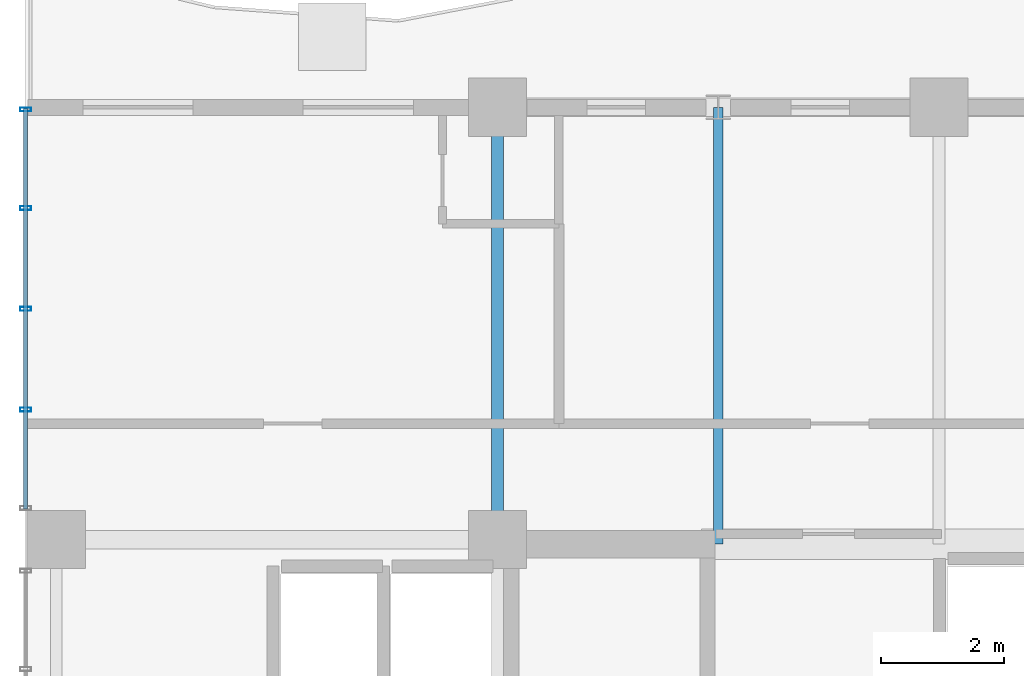
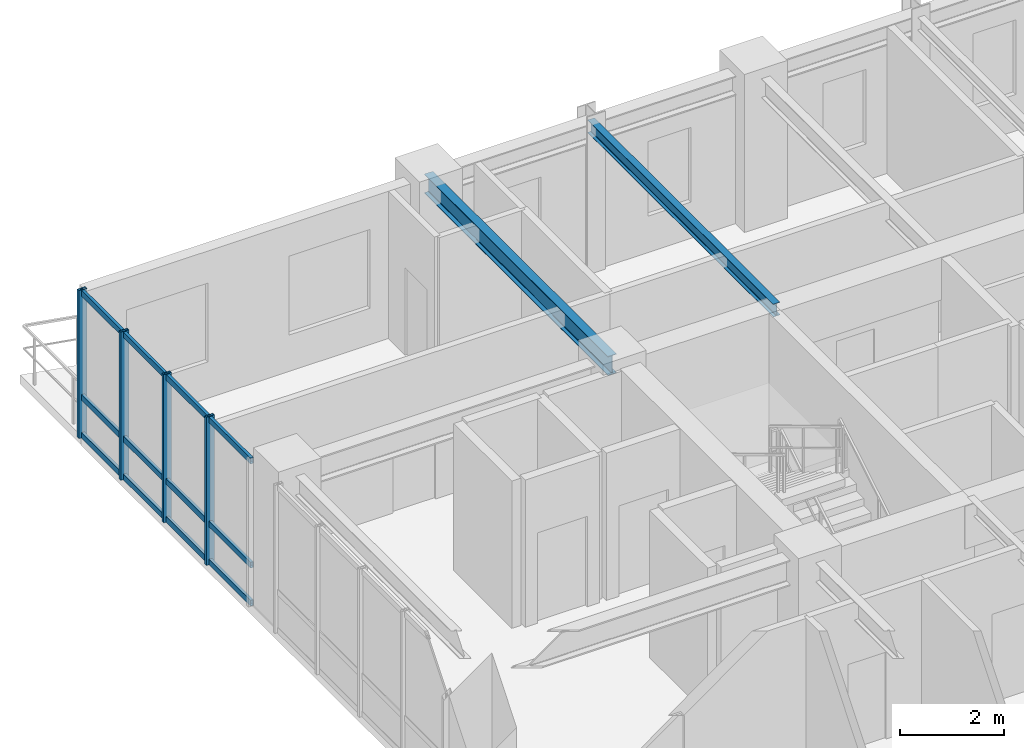
# One storey, part 10 of 20: 7 members, 2 beams, 1 element without a shape of its own.
"""IFC4 building model written with IfcOpenShell, lengths in metres."""

from ifc_helpers import new_model, si_unit, direction, frame, origin, origin_2d, place, context, subcontext, project, spatial, hollow_rectangle, i_section, extrude, source, transform, mapped, material, layer, layer_set, material_profile, profile_set, type_object, element, aggregate, save


model = new_model("IFC4")

# Units and contexts
model_context = context("Model", 3, precision=1e-05, world=origin(), true_north=direction((0.0, 1.0)))
body_context = subcontext(model_context, "Body", "Model", "MODEL_VIEW")
ifc_project = project(units=[si_unit("LENGTHUNIT", "METRE"), si_unit("AREAUNIT", "SQUARE_METRE"), si_unit("VOLUMEUNIT", "CUBIC_METRE"), si_unit("PLANEANGLEUNIT", "RADIAN"), si_unit("MASSUNIT", "GRAM", prefix="KILO")], contexts=[model_context])

# Site, building, storey
site_placement = place(None, origin())
site = spatial("IfcSite", under=ifc_project, at=site_placement, CompositionType="ELEMENT")
building_placement = place(site_placement, origin())
building = spatial("IfcBuilding", under=site, at=building_placement, Name="Kaliganga Portal Commons", CompositionType="ELEMENT")
storey_placement = place(building_placement, frame((0.0, 0.0, 201.800048828125)))
storey = spatial("IfcBuildingStorey", under=building, at=storey_placement, Name="L51", CompositionType="ELEMENT", Elevation=201.800048828125)

# Beams
ifc_material_1 = material(Name="Structural steel S355J2", Category="steel")
ifc_material_profile_1 = material_profile(ifc_material_1, i_section(OverallWidth=0.18994140625, OverallDepth=0.449951171875, WebThickness=0.009521484375, FlangeThickness=0.0146484375, FilletRadius=0.02099609375, at=origin_2d()), Name="IPE 450")
ifc_profile_set_1 = profile_set([ifc_material_profile_1], Name="Structural steel S355J2 wide-flange")
beam_type_1 = type_object("IfcBeamType", Name="BM-FLR-450", PredefinedType="BEAM", material=ifc_profile_set_1)
shared_shape_1 = source(origin(), body_context, "Body", "SweptSolid", [
    extrude(i_section(OverallWidth=0.18994140625, OverallDepth=0.449951171875, WebThickness=0.009521484375, FlangeThickness=0.0146484375, FilletRadius=0.02099609375, at=origin_2d()), origin(), (0.0, 0.0, 1.0), 7.050048828125),
])
beam_1_placement = place(storey_placement, frame((14.39990234375, 36.14990234375, 3.244873046875), z_axis=(0.0, 1.0, 0.0), x_axis=(-1.0, 0.0, 0.0)))
element("IfcBeam", 1, at=beam_1_placement, inside=storey, type_object=beam_type_1, Name="BM G L51 AN144", PredefinedType="BEAM", context=body_context, shape_type="MappedRepresentation", body=[
    mapped(shared_shape_1, transform((0.0, 0.0, 0.0), x_axis=(1.0, 0.0, 0.0), y_axis=(0.0, 1.0, 0.0), z_axis=(0.0, 0.0, 1.0), scale=1.0)),
])
ifc_material_profile_2 = material_profile(ifc_material_1, i_section(OverallWidth=0.14990234375, OverallDepth=0.300048828125, WebThickness=0.007080078125, FlangeThickness=0.0107421875, FilletRadius=0.014892578125, at=origin_2d()), Name="IPE 300")
ifc_profile_set_2 = profile_set([ifc_material_profile_2], Name="Structural steel S355J2 wide-flange")
beam_type_2 = type_object("IfcBeamType", Name="BM-JST-300", PredefinedType="JOIST", material=ifc_profile_set_2)
shared_shape_2 = source(origin(), body_context, "Body", "SweptSolid", [
    extrude(i_section(OverallWidth=0.14990234375, OverallDepth=0.300048828125, WebThickness=0.007080078125, FlangeThickness=0.0107421875, FilletRadius=0.014892578125, at=origin_2d()), origin(), (0.0, 0.0, 1.0), 7.125),
])
beam_2_placement = place(storey_placement, frame((18.0, 36.074951171875, 3.320068359375), z_axis=(0.0, 1.0, 0.0), x_axis=(-1.0, 0.0, 0.0)))
element("IfcBeam", 2, at=beam_2_placement, inside=storey, type_object=beam_type_2, Name="BM G L51 AN180", PredefinedType="JOIST", context=body_context, shape_type="MappedRepresentation", body=[
    mapped(shared_shape_2, transform((0.0, 0.0, 0.0), x_axis=(1.0, 0.0, 0.0), y_axis=(0.0, 1.0, 0.0), z_axis=(0.0, 0.0, 1.0), scale=1.0)),
])

# Curtain wall, members
ifc_material_2 = material(Name="Anodized Aluminium and Laminated Low-E Glass", Category="aluminium")
ifc_layer = layer(ifc_material_2, 0.199951171875)
ifc_layer_set = layer_set([ifc_layer], Name="Anodized Aluminium and Laminated Low-E Glass")
curtain_wall_type = type_object("IfcCurtainWallType", Name="CW-SYS-02", PredefinedType="NOTDEFINED", material=ifc_layer_set)
curtain_wall_placement = place(storey_placement, origin())
curtain_wall = element("IfcCurtainWall", 3, at=curtain_wall_placement, inside=storey, type_object=curtain_wall_type, Name="CW 02 L51 P1E03S1", PredefinedType="NOTDEFINED")
ifc_material_3 = material(Name="Dark Bronze Anodized Aluminium", Category="aluminium")
ifc_material_profile_3 = material_profile(ifc_material_3, hollow_rectangle(XDim=0.06494140625, YDim=0.179931640625, WallThickness=0.00390625, at=origin_2d()), Name="ALU MULL 65x180x4")
ifc_profile_set_3 = profile_set([ifc_material_profile_3], Name="Dark Bronze Anodized Aluminium")
member_type_1 = type_object("IfcMemberType", Name="CW-MUL-180", PredefinedType="MULLION", material=ifc_profile_set_3)
shared_shape_3 = source(origin(), body_context, "Body", "SweptSolid", [
    extrude(hollow_rectangle(XDim=0.06494140625, YDim=0.179931640625, WallThickness=0.00390625, at=origin_2d()), origin(), (0.0, 0.0, 1.0), 3.469970703125),
])
member_1_placement = place(storey_placement, frame((6.699951171875, 43.1650390625, 0.0), z_axis=(0.0, 0.0, 1.0), x_axis=(0.0, -1.0, 0.0)))
member_1 = element("IfcMember", 4, at=member_1_placement, type_object=member_type_1, Name="CW:02:L51:P1E03S1 Mullion 00", PredefinedType="MULLION", context=body_context, shape_type="MappedRepresentation", body=[
    mapped(shared_shape_3, transform((0.0, 0.0, 0.0), x_axis=(1.0, 0.0, 0.0), y_axis=(0.0, 1.0, 0.0), z_axis=(0.0, 0.0, 1.0), scale=1.0)),
])
member_2_placement = place(storey_placement, frame((6.699951171875, 41.556396484375, 0.0), z_axis=(0.0, 0.0, 1.0), x_axis=(0.0, -1.0, 0.0)))
member_2 = element("IfcMember", 5, at=member_2_placement, type_object=member_type_1, Name="CW:02:L51:P1E03S1 Mullion 01", PredefinedType="MULLION", context=body_context, shape_type="MappedRepresentation", body=[
    mapped(shared_shape_3, transform((0.0, 0.0, 0.0), x_axis=(1.0, 0.0, 0.0), y_axis=(0.0, 1.0, 0.0), z_axis=(0.0, 0.0, 1.0), scale=1.0)),
])
member_3_placement = place(storey_placement, frame((6.699951171875, 39.9130859375, 0.0), z_axis=(0.0, 0.0, 1.0), x_axis=(0.0, -1.0, 0.0)))
member_3 = element("IfcMember", 6, at=member_3_placement, type_object=member_type_1, Name="CW:02:L51:P1E03S1 Mullion 02", PredefinedType="MULLION", context=body_context, shape_type="MappedRepresentation", body=[
    mapped(shared_shape_3, transform((0.0, 0.0, 0.0), x_axis=(1.0, 0.0, 0.0), y_axis=(0.0, 1.0, 0.0), z_axis=(0.0, 0.0, 1.0), scale=1.0)),
])
member_4_placement = place(storey_placement, frame((6.699951171875, 38.26953125, 0.0), z_axis=(0.0, 0.0, 1.0), x_axis=(0.0, -1.0, 0.0)))
member_4 = element("IfcMember", 7, at=member_4_placement, type_object=member_type_1, Name="CW:02:L51:P1E03S1 Mullion 03", PredefinedType="MULLION", context=body_context, shape_type="MappedRepresentation", body=[
    mapped(shared_shape_3, transform((0.0, 0.0, 0.0), x_axis=(1.0, 0.0, 0.0), y_axis=(0.0, 1.0, 0.0), z_axis=(0.0, 0.0, 1.0), scale=1.0)),
])
ifc_material_profile_4 = material_profile(ifc_material_3, hollow_rectangle(XDim=0.06494140625, YDim=0.135009765625, WallThickness=0.00341796875, at=origin_2d()), Name="ALU TRAN 65x135x3.5")
ifc_profile_set_4 = profile_set([ifc_material_profile_4], Name="Dark Bronze Anodized Aluminium")
member_type_2 = type_object("IfcMemberType", Name="CW-TRN-135", PredefinedType="USERDEFINED", material=ifc_profile_set_4)
shared_shape_4 = source(origin(), body_context, "Body", "SweptSolid", [
    extrude(hollow_rectangle(XDim=0.06494140625, YDim=0.135009765625, WallThickness=0.00341796875, at=origin_2d()), origin(), (0.0, 0.0, 1.0), 6.533935546875),
])
member_5_placement = place(storey_placement, frame((6.699951171875, 43.179931640625, 0.06005859375), z_axis=(0.0, -1.0, 0.0), x_axis=(1.0, 0.0, 0.0)))
member_5 = element("IfcMember", 8, at=member_5_placement, type_object=member_type_2, Name="CW:02:L51:P1E03S1 Transom 1", ObjectType="TRANSOM", PredefinedType="USERDEFINED", context=body_context, shape_type="MappedRepresentation", body=[
    mapped(shared_shape_4, transform((0.0, 0.0, 0.0), x_axis=(1.0, 0.0, 0.0), y_axis=(0.0, 1.0, 0.0), z_axis=(0.0, 0.0, 1.0), scale=1.0)),
])
member_6_placement = place(storey_placement, frame((6.699951171875, 43.179931640625, 0.949951171875), z_axis=(0.0, -1.0, 0.0), x_axis=(1.0, 0.0, 0.0)))
member_6 = element("IfcMember", 9, at=member_6_placement, type_object=member_type_2, Name="CW:02:L51:P1E03S1 Transom 2", ObjectType="TRANSOM", PredefinedType="USERDEFINED", context=body_context, shape_type="MappedRepresentation", body=[
    mapped(shared_shape_4, transform((0.0, 0.0, 0.0), x_axis=(1.0, 0.0, 0.0), y_axis=(0.0, 1.0, 0.0), z_axis=(0.0, 0.0, 1.0), scale=1.0)),
])
member_7_placement = place(storey_placement, frame((6.699951171875, 43.179931640625, 3.389892578125), z_axis=(0.0, -1.0, 0.0), x_axis=(1.0, 0.0, 0.0)))
member_7 = element("IfcMember", 10, at=member_7_placement, type_object=member_type_2, Name="CW:02:L51:P1E03S1 Transom 3", ObjectType="TRANSOM", PredefinedType="USERDEFINED", context=body_context, shape_type="MappedRepresentation", body=[
    mapped(shared_shape_4, transform((0.0, 0.0, 0.0), x_axis=(1.0, 0.0, 0.0), y_axis=(0.0, 1.0, 0.0), z_axis=(0.0, 0.0, 1.0), scale=1.0)),
])
aggregate(curtain_wall, [member_1, member_2, member_3, member_4, member_5, member_6, member_7])

save(model, "model.ifc")
